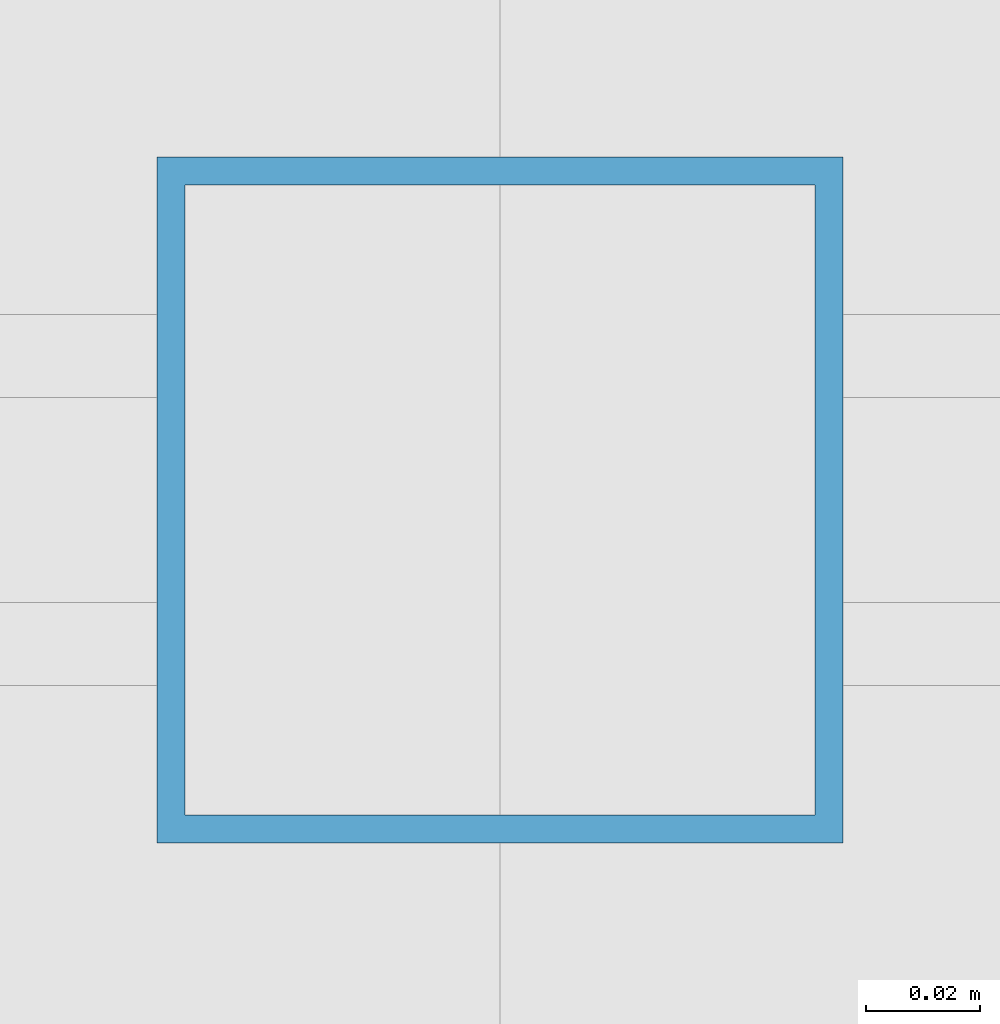
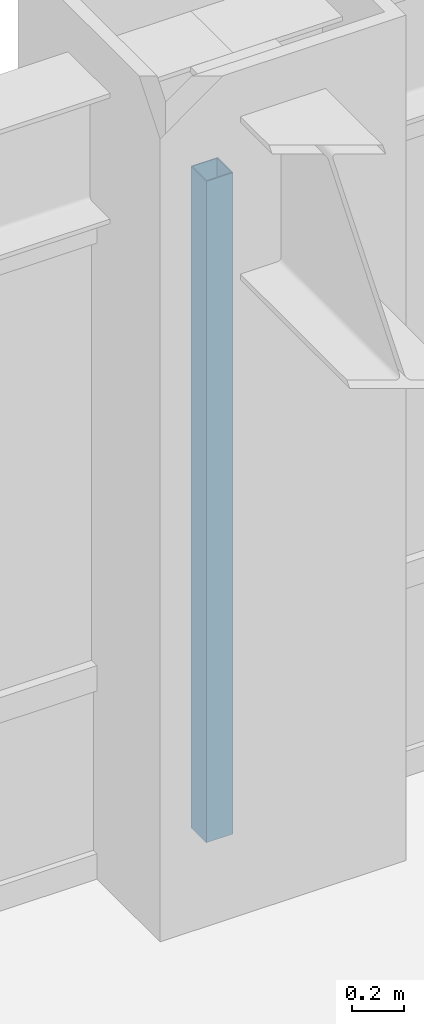
# One storey, part 16 of 24: 1 member, 1 element without a shape of its own.
"""IFC4 building model written with IfcOpenShell, lengths in metres."""

import ifcopenshell
import ifcopenshell.guid

model = None  # the IFC model being written
_history = None  # IfcOwnerHistory: only IFC2X3 demands one
_inside = {}  # id of a spatial element -> (the spatial element, [elements in it])
_under = {}  # id of a project, library or spatial element -> (it, [spatial elements below it])
_declared = {}  # id of a project -> (the project, [libraries it declares])
_typed = {}  # id of a type object -> (the type object, [elements of that type])
_made_of = {}  # id of a material, layer set ... -> (it, [elements and type objects made of it])


def new_model(schema):
    """Start an empty IFC model of exactly this schema.

    Asked for "IFC4X3", IfcOpenShell would pick the latest addendum, in which some entities
    have other attributes; the version numbers below select the first issue.
    IFC2X3 requires an IfcOwnerHistory on every rooted entity: one is made here for all.
    """
    global model, _history
    if schema == "IFC4X3":
        model = ifcopenshell.file(schema_version=(4, 3, 0, 0))
    else:
        model = ifcopenshell.file(schema=schema)
    _inside.clear()
    _under.clear()
    _declared.clear()
    _typed.clear()
    _made_of.clear()
    _history = None
    if model.schema == "IFC2X3":
        org = make("IfcOrganization", Name="unknown")
        user = make(
            "IfcPersonAndOrganization",
            ThePerson=make("IfcPerson", FamilyName="unknown"),
            TheOrganization=org,
        )
        app = make(
            "IfcApplication",
            ApplicationDeveloper=org,
            Version="unknown",
            ApplicationFullName="unknown",
            ApplicationIdentifier="unknown",
        )
        _history = make(
            "IfcOwnerHistory",
            OwningUser=user,
            OwningApplication=app,
            ChangeAction="ADDED",
            CreationDate=0,
        )
    return model


def make(cls, **values):
    """One entity of the class cls with the attributes given. An attribute that is None is left unset."""
    return model.create_entity(
        cls, **{name: value for name, value in values.items() if value is not None}
    )


def rooted(cls, **values):
    """An entity with a GlobalId (a new one), such as an element, a storey or a relation."""
    return make(cls, GlobalId=ifcopenshell.guid.new(), OwnerHistory=_history, **values)


def si_unit(unit_type, name, prefix=None):
    """IfcSIUnit, for example si_unit("LENGTHUNIT", "METRE", prefix="MILLI")."""
    return make("IfcSIUnit", UnitType=unit_type, Prefix=prefix, Name=name)


def assignment(units):
    """IfcUnitAssignment: the units of a project."""
    return None if units is None else make("IfcUnitAssignment", Units=units)


def point(xyz):
    """IfcCartesianPoint."""
    return None if xyz is None else make("IfcCartesianPoint", Coordinates=xyz)


def direction(xyz):
    """IfcDirection."""
    return None if xyz is None else make("IfcDirection", DirectionRatios=xyz)


def frame(location, z_axis=None, x_axis=None):
    """IfcAxis2Placement3D, a coordinate frame: its origin and axes. An axis left out is left unset."""
    return make(
        "IfcAxis2Placement3D",
        Location=point(location),
        Axis=direction(z_axis),
        RefDirection=direction(x_axis),
    )


def frame_2d(location, x_axis=None):
    """IfcAxis2Placement2D, a coordinate frame in the plane: its origin and x axis."""
    return make(
        "IfcAxis2Placement2D", Location=point(location), RefDirection=direction(x_axis)
    )


def origin():
    """The frame at (0, 0, 0) with its axes left unset."""
    return frame((0.0, 0.0, 0.0))


def origin_2d():
    """The frame at (0, 0) in the plane with its x axis left unset."""
    return frame_2d((0.0, 0.0))


def place(relative_to, where):
    """IfcLocalPlacement: puts the frame where relative to a parent placement (None: the world)."""
    return make(
        "IfcLocalPlacement", PlacementRelTo=relative_to, RelativePlacement=where
    )


def context(
    kind, dimensions, precision=None, world=None, true_north=None, identifier=None
):
    """IfcGeometricRepresentationContext, for example the 3D "Model" context."""
    return make(
        "IfcGeometricRepresentationContext",
        ContextIdentifier=identifier,
        ContextType=kind,
        CoordinateSpaceDimension=dimensions,
        Precision=precision,
        WorldCoordinateSystem=world,
        TrueNorth=true_north,
    )


def subcontext(parent, identifier, kind, view, scale=None):
    """IfcGeometricRepresentationSubContext, for example "Body" below "Model"."""
    return make(
        "IfcGeometricRepresentationSubContext",
        ContextIdentifier=identifier,
        ContextType=kind,
        ParentContext=parent,
        TargetScale=scale,
        TargetView=view,
    )


def project(units=None, contexts=None):
    """IfcProject with its units and contexts."""
    return rooted(
        "IfcProject",
        Name="project",
        RepresentationContexts=contexts,
        UnitsInContext=assignment(units),
    )


def spatial(cls, under=None, at=None, **own):
    """A site, building, storey or space (cls), placed at a placement, below another one or the project."""
    s = rooted(cls, ObjectPlacement=at, **own)
    if under is not None:
        _under.setdefault(under.id(), (under, []))[1].append(s)
    return s


def profile(cls, at=None, kind="AREA", **sizes):
    """A parametric profile (cls). Its sizes go by their IFC names, for example OverallWidth=200.0."""
    return make(cls, ProfileType=kind, Position=at, **sizes)


def hollow_rectangle(**sizes):
    """IfcRectangleHollowProfileDef."""
    return profile("IfcRectangleHollowProfileDef", **sizes)


def extrude(swept, where, along, depth):
    """IfcExtrudedAreaSolid: the profile swept, set in the frame where, extruded along a direction by depth."""
    return make(
        "IfcExtrudedAreaSolid",
        SweptArea=swept,
        Position=where,
        ExtrudedDirection=direction(along),
        Depth=depth,
    )


def shape(context_of_items, identifier, shape_type, items):
    """IfcShapeRepresentation: the items that make up one representation, for example the "Body"."""
    return make(
        "IfcShapeRepresentation",
        ContextOfItems=context_of_items,
        RepresentationIdentifier=identifier,
        RepresentationType=shape_type,
        Items=items,
    )


def source(mapping_origin, context_of_items, identifier, shape_type, items):
    """IfcRepresentationMap: a shape defined once, which mapped items show again and again."""
    return make(
        "IfcRepresentationMap",
        MappingOrigin=mapping_origin,
        MappedRepresentation=shape(context_of_items, identifier, shape_type, items),
    )


def transform(
    local_origin,
    x_axis=None,
    y_axis=None,
    z_axis=None,
    scale=None,
    scale2=None,
    scale3=None,
    uniform=True,
):
    """IfcCartesianTransformationOperator3D, or its non-uniform kind. x_axis, y_axis, z_axis: its Axis1, 2, 3."""
    if uniform:
        return make(
            "IfcCartesianTransformationOperator3D",
            Axis1=direction(x_axis),
            Axis2=direction(y_axis),
            LocalOrigin=point(local_origin),
            Scale=scale,
            Axis3=direction(z_axis),
        )
    return make(
        "IfcCartesianTransformationOperator3DnonUniform",
        Axis1=direction(x_axis),
        Axis2=direction(y_axis),
        LocalOrigin=point(local_origin),
        Scale=scale,
        Axis3=direction(z_axis),
        Scale2=scale2,
        Scale3=scale3,
    )


def mapped(mapping_source, mapping_target):
    """IfcMappedItem: shows the shape of a source again, moved by a transform."""
    return make(
        "IfcMappedItem", MappingSource=mapping_source, MappingTarget=mapping_target
    )


def material(Name=None, Category=None):
    """IfcMaterial."""
    return make("IfcMaterial", Name=Name, Category=Category)


def material_profile(
    of_material, cross_section, Name=None, Category=None, Priority=None
):
    """IfcMaterialProfile: a cross section and its material."""
    return make(
        "IfcMaterialProfile",
        Name=Name,
        Material=of_material,
        Profile=cross_section,
        Priority=Priority,
        Category=Category,
    )


def profile_set(profiles, Name=None, composite=None):
    """IfcMaterialProfileSet."""
    return make(
        "IfcMaterialProfileSet",
        Name=Name,
        MaterialProfiles=profiles,
        CompositeProfile=composite,
    )


def made_of(thing, what):
    """Note that an element or type object is made of a material, layer set ...; save() writes the relation."""
    if what is not None:
        _made_of.setdefault(what.id(), (what, []))[1].append(thing)
    return thing


def type_object(cls, material=None, **own):
    """A type object (cls), such as IfcWallType, which elements share."""
    return made_of(rooted(cls, **own), material)


def element(
    cls,
    number,
    at=None,
    inside=None,
    cuts=None,
    type_object=None,
    material=None,
    context=None,
    identifier="Body",
    shape_type=None,
    held_by="IfcProductDefinitionShape",
    body=None,
    shapes=None,
    **own,
):
    """One element of the class cls, such as IfcWall. Its Tag is "e" and its number.

    at: its placement. inside: the storey or other place that contains it. cuts: it is an
    opening in that element (IfcRelVoidsElement). A single representation is given by context,
    identifier, shape_type and body (its items); several are given by shapes. held_by: the class
    of the entity that holds the representations. save() writes the other relations.
    """
    e = rooted(cls, Tag="e%d" % number, ObjectPlacement=at, **own)
    if body is not None:
        shapes = [shape(context, identifier, shape_type, body)]
    if shapes is not None:
        e.Representation = make(held_by, Representations=shapes)
    if inside is not None:
        _inside.setdefault(inside.id(), (inside, []))[1].append(e)
    if cuts is not None:
        rooted(
            "IfcRelVoidsElement", RelatingBuildingElement=cuts, RelatedOpeningElement=e
        )
    if type_object is not None:
        _typed.setdefault(type_object.id(), (type_object, []))[1].append(e)
    return made_of(e, material)


def aggregate(whole, parts):
    """IfcRelAggregates: a whole, such as a stair, and the parts it consists of."""
    return rooted("IfcRelAggregates", RelatingObject=whole, RelatedObjects=parts)


def save(model, path):
    """Write the relations noted so far, then the file.

    IfcRelAggregates (storeys below a building ...), IfcRelContainedInSpatialStructure (elements
    in a storey), IfcRelDefinesByType, IfcRelAssociatesMaterial and IfcRelDeclares: one each for
    every whole, place, type object, material and project.
    """
    for whole, parts in _under.values():
        aggregate(whole, parts)
    for where, things in _inside.values():
        rooted(
            "IfcRelContainedInSpatialStructure",
            RelatedElements=things,
            RelatingStructure=where,
        )
    for kind, things in _typed.values():
        rooted("IfcRelDefinesByType", RelatedObjects=things, RelatingType=kind)
    for what, things in _made_of.values():
        rooted("IfcRelAssociatesMaterial", RelatedObjects=things, RelatingMaterial=what)
    for by, libraries in _declared.values():
        rooted("IfcRelDeclares", RelatingContext=by, RelatedDefinitions=libraries)
    model.write(path)


model = new_model("IFC4")

# Units and contexts
model_context = context("Model", 3, precision=1e-05, world=origin(), true_north=direction((0.0, 1.0)))
body_context = subcontext(model_context, "Body", "Model", "MODEL_VIEW")
ifc_project = project(units=[si_unit("LENGTHUNIT", "METRE"), si_unit("AREAUNIT", "SQUARE_METRE"), si_unit("VOLUMEUNIT", "CUBIC_METRE"), si_unit("PLANEANGLEUNIT", "RADIAN"), si_unit("MASSUNIT", "GRAM", prefix="KILO")], contexts=[model_context])

# Site, building, storey
site_placement = place(None, origin())
site = spatial("IfcSite", under=ifc_project, at=site_placement, CompositionType="ELEMENT")
building_placement = place(site_placement, origin())
building = spatial("IfcBuilding", under=site, at=building_placement, Name="Khorayat Bourse Tower", CompositionType="ELEMENT")
storey_placement = place(building_placement, frame((0.0, 0.0, 175.10009765625)))
storey = spatial("IfcBuildingStorey", under=building, at=storey_placement, Name="L40", CompositionType="ELEMENT", Elevation=175.10009765625)

# Curtain wall, member
ifc_material = material(Name="Aluminium EN AW-6063 T6", Category="aluminium")
curtain_wall_type = type_object("IfcCurtainWallType", Name="CW-SYS-03", PredefinedType="NOTDEFINED", material=ifc_material)
curtain_wall_placement = place(storey_placement, origin())
curtain_wall = element("IfcCurtainWall", 1, at=curtain_wall_placement, inside=storey, type_object=curtain_wall_type, Name="L40 Curtain Wall CW-L40-N1", PredefinedType="NOTDEFINED")
ifc_material_profile = material_profile(ifc_material, hollow_rectangle(XDim=0.1201171875, YDim=0.1201171875, WallThickness=0.0048828125, at=origin_2d()), Name="ALU 120x120x5")
ifc_profile_set = profile_set([ifc_material_profile], Name="Aluminium EN AW-6063 T6")
member_type = type_object("IfcMemberType", Name="CWM-VERT-120", PredefinedType="MULLION", material=ifc_profile_set)
shared_shape = source(origin(), body_context, "Body", "SweptSolid", [
    extrude(hollow_rectangle(XDim=0.1201171875, YDim=0.1201171875, WallThickness=0.0048828125, at=origin_2d()), origin(), (0.0, 0.0, 1.0), 3.1298828125),
])
member_placement = place(storey_placement, frame((0.0, 30.0, 0.0), z_axis=(0.0, 0.0, 1.0), x_axis=(0.0, 1.0, 0.0)))
member = element("IfcMember", 2, at=member_placement, type_object=member_type, Name="CW-L40-N1 Vertical Mullion 2", PredefinedType="MULLION", context=body_context, shape_type="MappedRepresentation", body=[
    mapped(shared_shape, transform((0.0, 0.0, 0.0), scale=1.0)),
])
aggregate(curtain_wall, [member])

save(model, "model.ifc")
